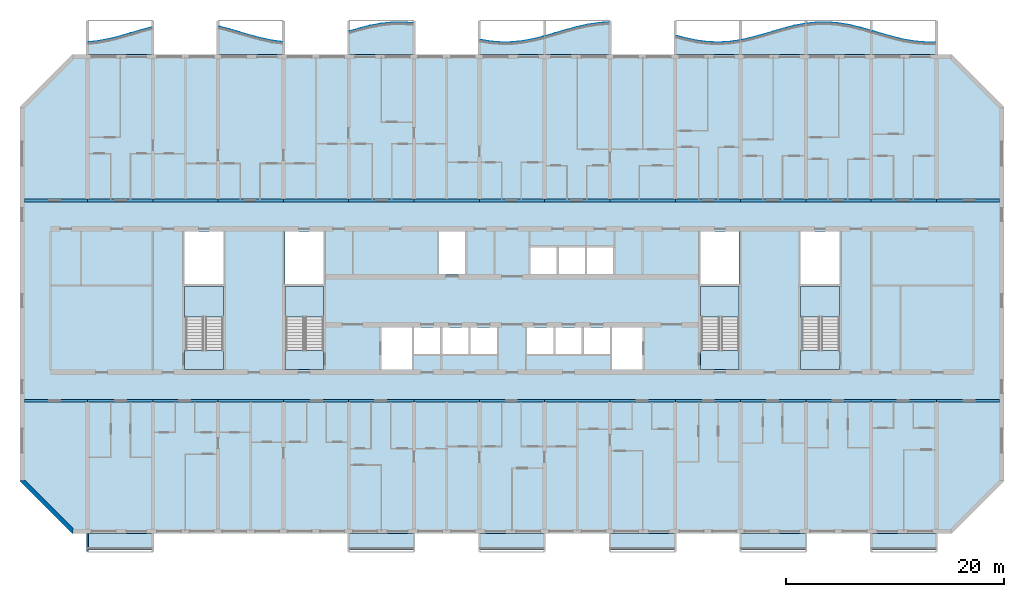
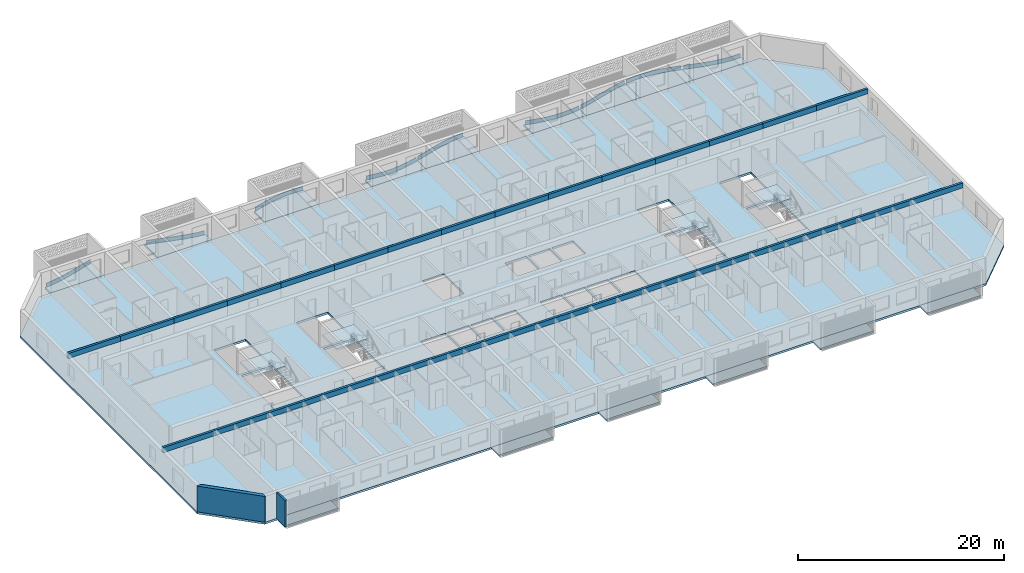
# One storey, part 1 of 27: 30 beams, 24 slabs, 9 plates, 2 walls, 4 elements without a shape of their own.
"""IFC4 building model written with IfcOpenShell, lengths in metres."""

from ifc_helpers import new_model, si_unit, direction, frame, origin, origin_2d, place, context, subcontext, project, spatial, polyline, rectangle, outline, extrude, source, transform, mapped, material, layer, layer_set, material_profile, profile_set, type_object, element, aggregate, save


model = new_model("IFC4")

# Units and contexts
model_context = context("Model", 3, precision=1e-05, world=origin(), true_north=direction((0.0, 1.0)))
body_context = subcontext(model_context, "Body", "Model", "MODEL_VIEW")
ifc_project = project(units=[si_unit("LENGTHUNIT", "METRE"), si_unit("AREAUNIT", "SQUARE_METRE"), si_unit("VOLUMEUNIT", "CUBIC_METRE"), si_unit("PLANEANGLEUNIT", "RADIAN"), si_unit("MASSUNIT", "GRAM", prefix="KILO")], contexts=[model_context])

# Site, building, storey
site_placement = place(None, origin())
site = spatial("IfcSite", under=ifc_project, at=site_placement, CompositionType="ELEMENT")
building_placement = place(site_placement, origin())
building = spatial("IfcBuilding", under=site, at=building_placement, Name="Poui Terraces", CompositionType="ELEMENT")
storey_placement = place(building_placement, frame((0.0, 0.0, 92.699951171875)))
storey = spatial("IfcBuildingStorey", under=building, at=storey_placement, Name="L25", CompositionType="ELEMENT", Elevation=92.699951171875)

# Beams
ifc_material_1 = material(Name="Concrete 65 MPa", Category="concrete")
ifc_material_profile = material_profile(ifc_material_1, rectangle(XDim=0.25, YDim=0.60009765625, at=origin_2d()), Name="RC 250x600")
ifc_profile_set = profile_set([ifc_material_profile], Name="Concrete 65 MPa")
beam_type = type_object("IfcBeamType", Name="COUPLING BEAM 250x600 65MPa", PredefinedType="BEAM", material=ifc_profile_set)
shared_shape_1 = source(origin(), body_context, "Body", "SweptSolid", [
    extrude(rectangle(XDim=0.25, YDim=0.60009765625, at=origin_2d()), origin(), (0.0, 0.0, 1.0), 5.800048828125),
])
for number, where, z_axis, x_axis, name in (
    (1, (6.199951171875, 12.0, 2.760009765625), (1.0, 0.0, 0.0), (0.0, 1.0, 0.0), "COUPLING BEAM LINE B BAY 1"),
    (2, (90.0, 12.0, 2.760009765625), (1.0, 0.0, 0.0), (0.0, 1.0, 0.0), "COUPLING BEAM LINE B BAY 15"),
    (3, (6.199951171875, 30.39990234375, 2.760009765625), (1.0, 0.0, 0.0), (0.0, 1.0, 0.0), "COUPLING BEAM LINE E BAY 1"),
    (4, (90.0, 30.39990234375, 2.760009765625), (1.0, 0.0, 0.0), (0.0, 1.0, 0.0), "COUPLING BEAM LINE E BAY 15"),
):
    element("IfcBeam", number, at=place(storey_placement, frame(where, z_axis=z_axis, x_axis=x_axis)), inside=storey, type_object=beam_type, Name=name, PredefinedType="BEAM", context=body_context, shape_type="MappedRepresentation", body=[
        mapped(shared_shape_1, transform((0.0, 0.0, 0.0))),
    ])
shared_shape_2 = source(origin(), body_context, "Body", "SweptSolid", [
    extrude(rectangle(XDim=0.25, YDim=0.60009765625, at=origin_2d()), origin(), (0.0, 0.0, 1.0), 6.0),
])
for number, where, z_axis, x_axis, name in (
    (5, (12.0, 12.0, 2.760009765625), (1.0, 0.0, 0.0), (0.0, 1.0, 0.0), "COUPLING BEAM LINE B BAY 2"),
    (6, (18.0, 12.0, 2.760009765625), (1.0, 0.0, 0.0), (0.0, 1.0, 0.0), "COUPLING BEAM LINE B BAY 3"),
    (7, (24.0, 12.0, 2.760009765625), (1.0, 0.0, 0.0), (0.0, 1.0, 0.0), "COUPLING BEAM LINE B BAY 4"),
    (8, (30.0, 12.0, 2.760009765625), (1.0, 0.0, 0.0), (0.0, 1.0, 0.0), "COUPLING BEAM LINE B BAY 5"),
    (9, (36.0, 12.0, 2.760009765625), (1.0, 0.0, 0.0), (0.0, 1.0, 0.0), "COUPLING BEAM LINE B BAY 6"),
    (10, (42.0, 12.0, 2.760009765625), (1.0, 0.0, 0.0), (0.0, 1.0, 0.0), "COUPLING BEAM LINE B BAY 7"),
    (11, (48.0, 12.0, 2.760009765625), (1.0, 0.0, 0.0), (0.0, 1.0, 0.0), "COUPLING BEAM LINE B BAY 8"),
    (12, (54.0, 12.0, 2.760009765625), (1.0, 0.0, 0.0), (0.0, 1.0, 0.0), "COUPLING BEAM LINE B BAY 9"),
    (13, (60.0, 12.0, 2.760009765625), (1.0, 0.0, 0.0), (0.0, 1.0, 0.0), "COUPLING BEAM LINE B BAY 10"),
    (14, (66.0, 12.0, 2.760009765625), (1.0, 0.0, 0.0), (0.0, 1.0, 0.0), "COUPLING BEAM LINE B BAY 11"),
    (15, (72.0, 12.0, 2.760009765625), (1.0, 0.0, 0.0), (0.0, 1.0, 0.0), "COUPLING BEAM LINE B BAY 12"),
    (16, (78.0, 12.0, 2.760009765625), (1.0, 0.0, 0.0), (0.0, 1.0, 0.0), "COUPLING BEAM LINE B BAY 13"),
    (17, (84.0, 12.0, 2.760009765625), (1.0, 0.0, 0.0), (0.0, 1.0, 0.0), "COUPLING BEAM LINE B BAY 14"),
    (18, (12.0, 30.39990234375, 2.760009765625), (1.0, 0.0, 0.0), (0.0, 1.0, 0.0), "COUPLING BEAM LINE E BAY 2"),
    (19, (18.0, 30.39990234375, 2.760009765625), (1.0, 0.0, 0.0), (0.0, 1.0, 0.0), "COUPLING BEAM LINE E BAY 3"),
    (20, (24.0, 30.39990234375, 2.760009765625), (1.0, 0.0, 0.0), (0.0, 1.0, 0.0), "COUPLING BEAM LINE E BAY 4"),
    (21, (30.0, 30.39990234375, 2.760009765625), (1.0, 0.0, 0.0), (0.0, 1.0, 0.0), "COUPLING BEAM LINE E BAY 5"),
    (22, (36.0, 30.39990234375, 2.760009765625), (1.0, 0.0, 0.0), (0.0, 1.0, 0.0), "COUPLING BEAM LINE E BAY 6"),
    (23, (42.0, 30.39990234375, 2.760009765625), (1.0, 0.0, 0.0), (0.0, 1.0, 0.0), "COUPLING BEAM LINE E BAY 7"),
    (24, (48.0, 30.39990234375, 2.760009765625), (1.0, 0.0, 0.0), (0.0, 1.0, 0.0), "COUPLING BEAM LINE E BAY 8"),
    (25, (54.0, 30.39990234375, 2.760009765625), (1.0, 0.0, 0.0), (0.0, 1.0, 0.0), "COUPLING BEAM LINE E BAY 9"),
    (26, (60.0, 30.39990234375, 2.760009765625), (1.0, 0.0, 0.0), (0.0, 1.0, 0.0), "COUPLING BEAM LINE E BAY 10"),
    (27, (66.0, 30.39990234375, 2.760009765625), (1.0, 0.0, 0.0), (0.0, 1.0, 0.0), "COUPLING BEAM LINE E BAY 11"),
    (28, (72.0, 30.39990234375, 2.760009765625), (1.0, 0.0, 0.0), (0.0, 1.0, 0.0), "COUPLING BEAM LINE E BAY 12"),
    (29, (78.0, 30.39990234375, 2.760009765625), (1.0, 0.0, 0.0), (0.0, 1.0, 0.0), "COUPLING BEAM LINE E BAY 13"),
    (30, (84.0, 30.39990234375, 2.760009765625), (1.0, 0.0, 0.0), (0.0, 1.0, 0.0), "COUPLING BEAM LINE E BAY 14"),
):
    element("IfcBeam", number, at=place(storey_placement, frame(where, z_axis=z_axis, x_axis=x_axis)), inside=storey, type_object=beam_type, Name=name, PredefinedType="BEAM", context=body_context, shape_type="MappedRepresentation", body=[
        mapped(shared_shape_2, transform((0.0, 0.0, 0.0))),
    ])

# Slabs
ifc_material_2 = material(Name="Precast concrete 40 MPa", Category="concrete")
ifc_layer_1 = layer(ifc_material_2, 0.199951171875)
ifc_layer_set_1 = layer_set([ifc_layer_1], Name="Precast concrete 40 MPa")
slab_type_1 = type_object("IfcSlabType", Name="BALCONY SLAB 200", PredefinedType="FLOOR", material=ifc_layer_set_1)
slab_1_placement = place(storey_placement, frame((0.0, 0.0, -0.199951171875)))
element("IfcSlab", 31, at=slab_1_placement, inside=storey, type_object=slab_type_1, Name="BALCONY SLAB", PredefinedType="FLOOR", context=body_context, shape_type="SweptSolid", body=[
    extrude(outline(polyline([(12.0, 43.800048828125), (18.0, 43.800048828125), (18.0, 46.3193359375), (17.0, 46.04638671875), (16.0, 45.75048828125), (15.0, 45.46240234375), (14.0, 45.211669921875), (13.0, 45.02392578125), (12.0, 44.918701171875), (12.0, 43.800048828125)])), origin(), (0.0, 0.0, 1.0), 0.199951171875),
])
slab_2_placement = place(storey_placement, frame((0.0, 0.0, -0.199951171875)))
element("IfcSlab", 32, at=slab_2_placement, inside=storey, type_object=slab_type_1, Name="BALCONY SLAB", PredefinedType="FLOOR", context=body_context, shape_type="SweptSolid", body=[
    extrude(outline(polyline([(24.0, 43.800048828125), (30.0, 43.800048828125), (30.0, 44.9365234375), (29.0, 45.063720703125), (28.0, 45.269287109375), (27.0, 45.531982421875), (26.0, 45.824951171875), (25.0, 46.117919921875), (24.0, 46.380615234375), (24.0, 43.800048828125)])), origin(), (0.0, 0.0, 1.0), 0.199951171875),
])
slab_3_placement = place(storey_placement, frame((0.0, 0.0, -0.199951171875)))
element("IfcSlab", 33, at=slab_3_placement, inside=storey, type_object=slab_type_1, Name="BALCONY SLAB", PredefinedType="FLOOR", context=body_context, shape_type="SweptSolid", body=[
    extrude(outline(polyline([(36.0, 43.800048828125), (42.0, 43.800048828125), (42.0, 46.66064453125), (41.0, 46.743408203125), (40.0, 46.731201171875), (39.0, 46.626220703125), (38.0, 46.4384765625), (37.0, 46.1875), (36.0, 45.8994140625), (36.0, 43.800048828125)])), origin(), (0.0, 0.0, 1.0), 0.199951171875),
])
slab_4_placement = place(storey_placement, frame((0.0, 0.0, -0.199951171875)))
element("IfcSlab", 34, at=slab_4_placement, inside=storey, type_object=slab_type_1, Name="BALCONY SLAB", PredefinedType="FLOOR", context=body_context, shape_type="SweptSolid", body=[
    extrude(outline(polyline([(48.0, 43.800048828125), (54.0, 43.800048828125), (54.0, 45.46240234375), (53.0, 45.211669921875), (52.0, 45.02392578125), (51.0, 44.918701171875), (50.0, 44.90673828125), (49.0, 44.9892578125), (48.0, 45.157958984375), (48.0, 43.800048828125)])), origin(), (0.0, 0.0, 1.0), 0.199951171875),
])
slab_5_placement = place(storey_placement, frame((0.0, 0.0, -0.199951171875)))
element("IfcSlab", 35, at=slab_5_placement, inside=storey, type_object=slab_type_1, Name="BALCONY SLAB", PredefinedType="FLOOR", context=body_context, shape_type="SweptSolid", body=[
    extrude(outline(polyline([(54.0, 43.800048828125), (60.0, 43.800048828125), (60.0, 46.749267578125), (59.0, 46.68994140625), (58.0, 46.54150390625), (57.0, 46.3193359375), (56.0, 46.04638671875), (55.0, 45.75048828125), (54.0, 45.46240234375), (54.0, 43.800048828125)])), origin(), (0.0, 0.0, 1.0), 0.199951171875),
])
slab_6_placement = place(storey_placement, frame((0.0, 0.0, -0.199951171875)))
element("IfcSlab", 36, at=slab_6_placement, inside=storey, type_object=slab_type_1, Name="BALCONY SLAB", PredefinedType="FLOOR", context=body_context, shape_type="SweptSolid", body=[
    extrude(outline(polyline([(66.0, 43.800048828125), (72.0, 43.800048828125), (72.0, 45.1083984375), (71.0, 44.960205078125), (70.0, 44.90087890625), (69.0, 44.9365234375), (68.0, 45.063720703125), (67.0, 45.269287109375), (66.0, 45.531982421875), (66.0, 43.800048828125)])), origin(), (0.0, 0.0, 1.0), 0.199951171875),
])
slab_7_placement = place(storey_placement, frame((0.0, 0.0, -0.199951171875)))
element("IfcSlab", 37, at=slab_7_placement, inside=storey, type_object=slab_type_1, Name="BALCONY SLAB", PredefinedType="FLOOR", context=body_context, shape_type="SweptSolid", body=[
    extrude(outline(polyline([(72.0, 43.800048828125), (78.0, 43.800048828125), (78.0, 46.626220703125), (77.0, 46.4384765625), (76.0, 46.1875), (75.0, 45.8994140625), (74.0, 45.603515625), (73.0, 45.33056640625), (72.0, 45.1083984375), (72.0, 43.800048828125)])), origin(), (0.0, 0.0, 1.0), 0.199951171875),
])
slab_8_placement = place(storey_placement, frame((0.0, 0.0, -0.199951171875)))
element("IfcSlab", 38, at=slab_8_placement, inside=storey, type_object=slab_type_1, Name="BALCONY SLAB", PredefinedType="FLOOR", context=body_context, shape_type="SweptSolid", body=[
    extrude(outline(polyline([(78.0, 43.800048828125), (84.0, 43.800048828125), (84.0, 45.973388671875), (83.0, 46.2548828125), (82.0, 46.4921875), (81.0, 46.66064453125), (80.0, 46.743408203125), (79.0, 46.731201171875), (78.0, 46.626220703125), (78.0, 43.800048828125)])), origin(), (0.0, 0.0, 1.0), 0.199951171875),
])
slab_9_placement = place(storey_placement, frame((0.0, 0.0, -0.199951171875)))
element("IfcSlab", 39, at=slab_9_placement, inside=storey, type_object=slab_type_1, Name="BALCONY SLAB", PredefinedType="FLOOR", context=body_context, shape_type="SweptSolid", body=[
    extrude(outline(polyline([(84.0, 43.800048828125), (90.0, 43.800048828125), (90.0, 44.918701171875), (89.0, 44.90673828125), (88.0, 44.9892578125), (87.0, 45.157958984375), (86.0, 45.39501953125), (85.0, 45.676513671875), (84.0, 45.973388671875), (84.0, 43.800048828125)])), origin(), (0.0, 0.0, 1.0), 0.199951171875),
])

# Stair, slabs
stair_type = type_object("IfcStairType", Name="EXIT STAIR 1650 65 MPA", PredefinedType="HALF_TURN_STAIR", material=ifc_material_1)
stair_1_placement = place(storey_placement, origin())
stair_1 = element("IfcStair", 40, at=stair_1_placement, inside=storey, type_object=stair_type, Name="L25 CORE STAIR EAST", PredefinedType="HALF_TURN_STAIR")
ifc_layer_2 = layer(ifc_material_1, 0.199951171875)
ifc_layer_set_2 = layer_set([ifc_layer_2], Name="Concrete 65 MPa")
slab_type_2 = type_object("IfcSlabType", Name="STAIR LANDING 200 65 MPA", PredefinedType="LANDING", material=ifc_layer_set_2)
slab_10_placement = place(storey_placement, frame((0.0, 0.0, 1.449951171875)))
slab_10 = element("IfcSlab", 41, at=slab_10_placement, type_object=slab_type_2, Name="ST-CE landing 1", PredefinedType="LANDING", context=body_context, shape_type="SweptSolid", body=[
    extrude(outline(polyline([(68.324951171875, 19.679931640625), (71.875, 19.679931640625), (71.875, 22.47509765625), (68.324951171875, 22.47509765625), (68.324951171875, 19.679931640625)])), origin(), (0.0, 0.0, 1.0), 0.2001953125),
])
slab_11_placement = place(storey_placement, frame((0.0, 0.0, -0.199951171875)))
slab_11 = element("IfcSlab", 42, at=slab_11_placement, type_object=slab_type_2, Name="ST-CE landing 2", PredefinedType="LANDING", context=body_context, shape_type="SweptSolid", body=[
    extrude(outline(polyline([(68.324951171875, 14.85009765625), (71.875, 14.85009765625), (71.875, 16.60009765625), (68.324951171875, 16.60009765625), (68.324951171875, 14.85009765625)])), origin(), (0.0, 0.0, 1.0), 0.199951171875),
])
aggregate(stair_1, [slab_10, slab_11])

stair_2_placement = place(storey_placement, origin())
stair_2 = element("IfcStair", 43, at=stair_2_placement, inside=storey, type_object=stair_type, Name="L25 CORE STAIR WEST", PredefinedType="HALF_TURN_STAIR")
slab_12_placement = place(storey_placement, frame((0.0, 0.0, 1.449951171875)))
slab_12 = element("IfcSlab", 44, at=slab_12_placement, type_object=slab_type_2, Name="ST-CW landing 1", PredefinedType="LANDING", context=body_context, shape_type="SweptSolid", body=[
    extrude(outline(polyline([(30.125, 19.679931640625), (33.675048828125, 19.679931640625), (33.675048828125, 22.47509765625), (30.125, 22.47509765625), (30.125, 19.679931640625)])), origin(), (0.0, 0.0, 1.0), 0.2001953125),
])
slab_13_placement = place(storey_placement, frame((0.0, 0.0, -0.199951171875)))
slab_13 = element("IfcSlab", 45, at=slab_13_placement, type_object=slab_type_2, Name="ST-CW landing 2", PredefinedType="LANDING", context=body_context, shape_type="SweptSolid", body=[
    extrude(outline(polyline([(30.125, 14.85009765625), (33.675048828125, 14.85009765625), (33.675048828125, 16.60009765625), (30.125, 16.60009765625), (30.125, 14.85009765625)])), origin(), (0.0, 0.0, 1.0), 0.199951171875),
])
aggregate(stair_2, [slab_12, slab_13])

stair_3_placement = place(storey_placement, origin())
stair_3 = element("IfcStair", 46, at=stair_3_placement, inside=storey, type_object=stair_type, Name="L25 TIP STAIR EAST", PredefinedType="HALF_TURN_STAIR")
slab_14_placement = place(storey_placement, frame((0.0, 0.0, 1.449951171875)))
slab_14 = element("IfcSlab", 47, at=slab_14_placement, type_object=slab_type_2, Name="ST-E landing 1", PredefinedType="LANDING", context=body_context, shape_type="SweptSolid", body=[
    extrude(outline(polyline([(77.52490234375, 19.679931640625), (81.074951171875, 19.679931640625), (81.074951171875, 22.47509765625), (77.52490234375, 22.47509765625), (77.52490234375, 19.679931640625)])), origin(), (0.0, 0.0, 1.0), 0.2001953125),
])
slab_15_placement = place(storey_placement, frame((0.0, 0.0, -0.199951171875)))
slab_15 = element("IfcSlab", 48, at=slab_15_placement, type_object=slab_type_2, Name="ST-E landing 2", PredefinedType="LANDING", context=body_context, shape_type="SweptSolid", body=[
    extrude(outline(polyline([(77.52490234375, 14.85009765625), (81.074951171875, 14.85009765625), (81.074951171875, 16.60009765625), (77.52490234375, 16.60009765625), (77.52490234375, 14.85009765625)])), origin(), (0.0, 0.0, 1.0), 0.199951171875),
])
aggregate(stair_3, [slab_14, slab_15])

stair_4_placement = place(storey_placement, origin())
stair_4 = element("IfcStair", 49, at=stair_4_placement, inside=storey, type_object=stair_type, Name="L25 TIP STAIR WEST", PredefinedType="HALF_TURN_STAIR")
slab_16_placement = place(storey_placement, frame((0.0, 0.0, 1.449951171875)))
slab_16 = element("IfcSlab", 50, at=slab_16_placement, type_object=slab_type_2, Name="ST-W landing 1", PredefinedType="LANDING", context=body_context, shape_type="SweptSolid", body=[
    extrude(outline(polyline([(20.925048828125, 19.679931640625), (24.47509765625, 19.679931640625), (24.47509765625, 22.47509765625), (20.925048828125, 22.47509765625), (20.925048828125, 19.679931640625)])), origin(), (0.0, 0.0, 1.0), 0.2001953125),
])
slab_17_placement = place(storey_placement, frame((0.0, 0.0, -0.199951171875)))
slab_17 = element("IfcSlab", 51, at=slab_17_placement, type_object=slab_type_2, Name="ST-W landing 2", PredefinedType="LANDING", context=body_context, shape_type="SweptSolid", body=[
    extrude(outline(polyline([(20.925048828125, 14.85009765625), (24.47509765625, 14.85009765625), (24.47509765625, 16.60009765625), (20.925048828125, 16.60009765625), (20.925048828125, 14.85009765625)])), origin(), (0.0, 0.0, 1.0), 0.199951171875),
])
aggregate(stair_4, [slab_16, slab_17])

# Plates
ifc_layer_3 = layer(ifc_material_2, 0.080078125)
ifc_layer_set_3 = layer_set([ifc_layer_3], Name="Precast concrete 40 MPa")
plate_type = type_object("IfcPlateType", Name="SUNSHADE UPSTAND 80", PredefinedType="SHEET", material=ifc_layer_set_3)
plate_1_placement = place(storey_placement, origin())
element("IfcPlate", 52, at=plate_1_placement, inside=storey, type_object=plate_type, Name="SUNSHADE UPSTAND", PredefinedType="SHEET", context=body_context, shape_type="SweptSolid", body=[
    extrude(outline(polyline([(12.994140625, 45.0185546875), (12.12060546875, 44.921630859375), (12.12939453125, 44.842041015625), (13.005859375, 44.939208984375), (14.008544921875, 45.12744140625), (15.010498046875, 45.37890625), (16.01123046875, 45.667236328125), (17.010986328125, 45.962890625), (17.885498046875, 46.203857421875), (17.864501953125, 46.281005859375), (16.989013671875, 46.039794921875), (15.98876953125, 45.743896484375), (14.989501953125, 45.4560546875), (13.991455078125, 45.205810546875), (12.994140625, 45.0185546875)])), origin(), (0.0, 0.0, 1.0), 0.449951171875),
])
plate_2_placement = place(storey_placement, origin())
element("IfcPlate", 53, at=plate_2_placement, inside=storey, type_object=plate_type, Name="SUNSHADE UPSTAND", PredefinedType="SHEET", context=body_context, shape_type="SweptSolid", body=[
    extrude(outline(polyline([(25.0107421875, 46.111328125), (24.13525390625, 46.343994140625), (24.11474609375, 46.266845703125), (24.9892578125, 46.034423828125), (25.98876953125, 45.74169921875), (26.9892578125, 45.448486328125), (27.990966796875, 45.185302734375), (28.993408203125, 44.979248046875), (29.86962890625, 44.863037109375), (29.88037109375, 44.9423828125), (29.006591796875, 45.05810546875), (28.009033203125, 45.26318359375), (27.0107421875, 45.525634765625), (26.01123046875, 45.818359375), (25.0107421875, 46.111328125)])), origin(), (0.0, 0.0, 1.0), 0.449951171875),
])
plate_3_placement = place(storey_placement, origin())
element("IfcPlate", 54, at=plate_3_placement, inside=storey, type_object=plate_type, Name="SUNSHADE UPSTAND", PredefinedType="SHEET", context=body_context, shape_type="SweptSolid", body=[
    extrude(outline(polyline([(36.989501953125, 46.18115234375), (36.114013671875, 45.929931640625), (36.135986328125, 45.85302734375), (37.010498046875, 46.10400390625), (38.008544921875, 46.354248046875), (39.005859375, 46.54150390625), (40.002197265625, 46.646240234375), (40.998779296875, 46.658203125), (41.871826171875, 46.591064453125), (41.878173828125, 46.6708984375), (41.859619140625, 46.67236328125), (41.001220703125, 46.73828125), (39.997802734375, 46.726318359375), (38.994140625, 46.62060546875), (37.991455078125, 46.4326171875), (36.989501953125, 46.18115234375)])), origin(), (0.0, 0.0, 1.0), 0.449951171875),
])
plate_4_placement = place(storey_placement, origin())
element("IfcPlate", 55, at=plate_4_placement, inside=storey, type_object=plate_type, Name="SUNSHADE UPSTAND", PredefinedType="SHEET", context=body_context, shape_type="SweptSolid", body=[
    extrude(outline(polyline([(49.0048828125, 44.98388671875), (48.131591796875, 45.127197265625), (48.118408203125, 45.048095703125), (48.9951171875, 44.904541015625), (49.99853515625, 44.82177734375), (51.002197265625, 44.833740234375), (52.005859375, 44.939208984375), (53.008544921875, 45.12744140625), (53.884521484375, 45.344482421875), (53.865478515625, 45.42236328125), (52.991455078125, 45.205810546875), (51.994140625, 45.0185546875), (50.997802734375, 44.913818359375), (50.00146484375, 44.90185546875), (49.0048828125, 44.98388671875)])), origin(), (0.0, 0.0, 1.0), 0.449951171875),
])
plate_5_placement = place(storey_placement, origin())
element("IfcPlate", 56, at=plate_5_placement, inside=storey, type_object=plate_type, Name="SUNSHADE UPSTAND", PredefinedType="SHEET", context=body_context, shape_type="SweptSolid", body=[
    extrude(outline(polyline([(54.98876953125, 45.743896484375), (54.114013671875, 45.490478515625), (54.135986328125, 45.41357421875), (55.01123046875, 45.667236328125), (56.010986328125, 45.962890625), (57.009521484375, 46.235595703125), (58.00732421875, 46.457275390625), (59.004150390625, 46.60498046875), (59.877685546875, 46.662109375), (59.872314453125, 46.74169921875), (59.831787109375, 46.7392578125), (58.995849609375, 46.684814453125), (57.99267578125, 46.535888671875), (56.990478515625, 46.313232421875), (55.989013671875, 46.039794921875), (54.98876953125, 45.743896484375)])), origin(), (0.0, 0.0, 1.0), 0.449951171875),
])
plate_6_placement = place(storey_placement, origin())
element("IfcPlate", 57, at=plate_6_placement, inside=storey, type_object=plate_type, Name="SUNSHADE UPSTAND", PredefinedType="SHEET", context=body_context, shape_type="SweptSolid", body=[
    extrude(outline(polyline([(67.009033203125, 45.26318359375), (66.135009765625, 45.49072265625), (66.114990234375, 45.413330078125), (66.990966796875, 45.185302734375), (67.993408203125, 44.979248046875), (68.996826171875, 44.8515625), (70.00048828125, 44.815673828125), (71.00390625, 44.875244140625), (71.880615234375, 45.0009765625), (71.869384765625, 45.080078125), (70.99609375, 44.954833984375), (69.99951171875, 44.895751953125), (69.003173828125, 44.931396484375), (68.006591796875, 45.05810546875), (67.009033203125, 45.26318359375)])), origin(), (0.0, 0.0, 1.0), 0.449951171875),
])
plate_7_placement = place(storey_placement, origin())
element("IfcPlate", 58, at=plate_7_placement, inside=storey, type_object=plate_type, Name="SUNSHADE UPSTAND", PredefinedType="SHEET", context=body_context, shape_type="SweptSolid", body=[
    extrude(outline(polyline([(72.990234375, 45.324462890625), (72.1162109375, 45.126708984375), (72.1337890625, 45.048583984375), (73.009765625, 45.246826171875), (74.010986328125, 45.520263671875), (75.01123046875, 45.81591796875), (76.010498046875, 46.10400390625), (77.0087890625, 46.354248046875), (77.882568359375, 46.5224609375), (77.867431640625, 46.60107421875), (76.9912109375, 46.4326171875), (75.989501953125, 46.18115234375), (74.98876953125, 45.892822265625), (73.989013671875, 45.59716796875), (72.990234375, 45.324462890625)])), origin(), (0.0, 0.0, 1.0), 0.449951171875),
])
plate_8_placement = place(storey_placement, origin())
element("IfcPlate", 59, at=plate_8_placement, inside=storey, type_object=plate_type, Name="SUNSHADE UPSTAND", PredefinedType="SHEET", context=body_context, shape_type="SweptSolid", body=[
    extrude(outline(polyline([(78.997802734375, 46.726318359375), (78.128173828125, 46.6396484375), (78.12109375, 46.638916015625), (78.12890625, 46.55908203125), (79.002197265625, 46.646240234375), (79.99853515625, 46.658203125), (80.9951171875, 46.575927734375), (81.991943359375, 46.407958984375), (82.989990234375, 46.171142578125), (83.8642578125, 45.926513671875), (83.8857421875, 46.00341796875), (83.010009765625, 46.24853515625), (82.008056640625, 46.486328125), (81.0048828125, 46.655517578125), (80.00146484375, 46.73828125), (78.997802734375, 46.726318359375)])), origin(), (0.0, 0.0, 1.0), 0.449951171875),
])
plate_9_placement = place(storey_placement, origin())
element("IfcPlate", 60, at=plate_9_placement, inside=storey, type_object=plate_type, Name="SUNSHADE UPSTAND", PredefinedType="SHEET", context=body_context, shape_type="SweptSolid", body=[
    extrude(outline(polyline([(85.010986328125, 45.669921875), (84.136474609375, 45.9296875), (84.113525390625, 45.853271484375), (84.989013671875, 45.59326171875), (85.989990234375, 45.311279296875), (86.991943359375, 45.07373046875), (87.9951171875, 44.904541015625), (88.99853515625, 44.82177734375), (89.875244140625, 44.826904296875), (89.874755859375, 44.906982421875), (89.00146484375, 44.90185546875), (88.0048828125, 44.98388671875), (87.008056640625, 45.152099609375), (86.010009765625, 45.388916015625), (85.010986328125, 45.669921875)])), origin(), (0.0, 0.0, 1.0), 0.449951171875),
])

# Slabs
ifc_material_3 = material(Name="Concrete 40 MPa", Category="concrete")
ifc_layer_4 = layer(ifc_material_3, 0.239990234375)
ifc_layer_set_4 = layer_set([ifc_layer_4], Name="Concrete 40 MPa")
slab_type_3 = type_object("IfcSlabType", Name="FLOOR SLAB 240", PredefinedType="FLOOR", material=ifc_layer_set_4)
shared_shape_3 = source(origin(), body_context, "Body", "SweptSolid", [
    extrude(outline(polyline([(0.0, 0.0), (4.800048828125, -4.800048828125), (85.599853515625, -4.800048828125), (90.39990234375, 0.0), (90.39990234375, 34.39990234375), (85.599853515625, 39.199951171875), (4.800048828125, 39.199951171875), (0.0, 34.39990234375), (0.0, 0.0)]), holes=[polyline([(33.199951171875, 10.25), (33.199951171875, 14.14990234375), (36.0, 14.14990234375), (36.0, 10.25), (33.199951171875, 10.25)]), polyline([(36.199951171875, 11.699951171875), (36.199951171875, 14.14990234375), (38.599853515625, 14.14990234375), (38.599853515625, 11.699951171875), (36.199951171875, 11.699951171875)]), polyline([(38.800048828125, 11.699951171875), (38.800048828125, 14.14990234375), (41.199951171875, 14.14990234375), (41.199951171875, 11.699951171875), (38.800048828125, 11.699951171875)]), polyline([(41.39990234375, 14.14990234375), (43.800048828125, 14.14990234375), (43.800048828125, 11.699951171875), (41.39990234375, 11.699951171875), (41.39990234375, 14.14990234375)]), polyline([(46.599853515625, 14.14990234375), (49.0, 14.14990234375), (49.0, 11.699951171875), (46.599853515625, 11.699951171875), (46.599853515625, 14.14990234375)]), polyline([(15.224853515625, 17.849853515625), (18.675048828125, 17.849853515625), (18.675048828125, 12.0), (18.675048828125, 10.25), (15.125, 10.25), (15.125, 12.0), (15.224853515625, 12.0), (15.224853515625, 17.849853515625)]), polyline([(24.425048828125, 17.849853515625), (27.875, 17.849853515625), (27.875, 12.0), (27.875, 10.25), (24.324951171875, 10.25), (24.324951171875, 12.0), (24.425048828125, 12.0), (24.425048828125, 17.849853515625)]), polyline([(15.125, 18.125), (15.125, 22.949951171875), (18.675048828125, 22.949951171875), (18.675048828125, 18.125), (15.125, 18.125)]), polyline([(24.324951171875, 22.949951171875), (27.875, 22.949951171875), (27.875, 18.125), (24.324951171875, 18.125), (24.324951171875, 22.949951171875)]), polyline([(38.5, 22.949951171875), (40.89990234375, 22.949951171875), (40.89990234375, 19.0498046875), (38.5, 19.0498046875), (38.5, 22.949951171875)]), polyline([(54.39990234375, 10.25), (54.39990234375, 14.14990234375), (57.199951171875, 14.14990234375), (57.199951171875, 10.25), (54.39990234375, 10.25)]), polyline([(49.199951171875, 11.699951171875), (49.199951171875, 14.14990234375), (51.599853515625, 14.14990234375), (51.599853515625, 11.699951171875), (49.199951171875, 11.699951171875)]), polyline([(51.800048828125, 11.699951171875), (51.800048828125, 14.14990234375), (54.199951171875, 14.14990234375), (54.199951171875, 11.699951171875), (51.800048828125, 11.699951171875)]), polyline([(66.074951171875, 17.849853515625), (66.074951171875, 12.0), (66.074951171875, 10.25), (62.52490234375, 10.25), (62.52490234375, 12.0), (62.625, 12.0), (62.625, 17.849853515625), (66.074951171875, 17.849853515625)]), polyline([(75.27490234375, 17.849853515625), (75.27490234375, 12.0), (75.27490234375, 10.25), (71.724853515625, 10.25), (71.724853515625, 12.0), (71.824951171875, 12.0), (71.824951171875, 17.849853515625), (75.27490234375, 17.849853515625)]), polyline([(46.89990234375, 19.0498046875), (46.89990234375, 21.5), (49.300048828125, 21.5), (49.300048828125, 19.0498046875), (46.89990234375, 19.0498046875)]), polyline([(49.5, 19.0498046875), (49.5, 21.5), (51.89990234375, 21.5), (51.89990234375, 19.0498046875), (49.5, 19.0498046875)]), polyline([(52.099853515625, 19.0498046875), (52.099853515625, 21.5), (54.5, 21.5), (54.5, 19.0498046875), (52.099853515625, 19.0498046875)]), polyline([(62.52490234375, 22.949951171875), (66.074951171875, 22.949951171875), (66.074951171875, 18.125), (62.52490234375, 18.125), (62.52490234375, 22.949951171875)]), polyline([(71.724853515625, 22.949951171875), (75.27490234375, 22.949951171875), (75.27490234375, 18.125), (71.724853515625, 18.125), (71.724853515625, 22.949951171875)])]), origin(), (0.0, 0.0, 1.0), 0.239990234375),
])
slab_18_placement = place(storey_placement, frame((5.800048828125, 4.60009765625, -0.239990234375)))
element("IfcSlab", 61, at=slab_18_placement, inside=storey, type_object=slab_type_3, Name="FLOOR SLAB", PredefinedType="FLOOR", context=body_context, shape_type="MappedRepresentation", body=[
    mapped(shared_shape_3, transform((0.0, 0.0, 0.0))),
])
ifc_layer_5 = layer(ifc_material_2, 0.199951171875)
ifc_layer_set_5 = layer_set([ifc_layer_5], Name="Precast concrete 40 MPa")
slab_type_4 = type_object("IfcSlabType", Name="REAR BALCONY SLAB 200", PredefinedType="FLOOR", material=ifc_layer_set_5)
shared_shape_4 = source(origin(), body_context, "Body", "SweptSolid", [
    extrude(outline(polyline([(0.0, 0.0), (6.0, 0.0), (6.0, 1.5), (0.0, 1.5), (0.0, 0.0)])), origin(), (0.0, 0.0, 1.0), 0.199951171875),
])
for number, where, name in (
    (62, (12.0, -1.699951171875, -0.199951171875), "REAR BALCONY SLAB"),
    (63, (36.0, -1.699951171875, -0.199951171875), "REAR BALCONY SLAB"),
    (64, (48.0, -1.699951171875, -0.199951171875), "REAR BALCONY SLAB"),
    (65, (60.0, -1.699951171875, -0.199951171875), "REAR BALCONY SLAB"),
    (66, (72.0, -1.699951171875, -0.199951171875), "REAR BALCONY SLAB"),
    (67, (84.0, -1.699951171875, -0.199951171875), "REAR BALCONY SLAB"),
):
    element("IfcSlab", number, at=place(storey_placement, frame(where)), inside=storey, type_object=slab_type_4, Name=name, PredefinedType="FLOOR", context=body_context, shape_type="MappedRepresentation", body=[
        mapped(shared_shape_4, transform((0.0, 0.0, 0.0))),
    ])

# Walls
ifc_layer_6 = layer(ifc_material_2, 0.39990234375)
ifc_layer_set_6 = layer_set([ifc_layer_6], Name="Precast concrete 40 MPa")
wall_type_1 = type_object("IfcWallType", Name="TERRACOTTA CLAD CHAMFER WALL 400", PredefinedType="STANDARD", material=ifc_layer_set_6)
wall_1_placement = place(storey_placement, origin())
element("IfcWall", 68, at=wall_1_placement, inside=storey, type_object=wall_type_1, Name="CHAMFER WALL CH07", PredefinedType="STANDARD", context=body_context, shape_type="SweptSolid", body=[
    extrude(outline(polyline([(5.800048828125, 4.682861328125), (5.800048828125, 4.60009765625), (10.60009765625, -0.199951171875), (10.682861328125, -0.199951171875), (10.682861328125, 0.28271484375), (6.28271484375, 4.682861328125), (5.800048828125, 4.682861328125)])), origin(), (0.0, 0.0, 1.0), 3.06005859375),
])
ifc_layer_7 = layer(ifc_material_2, 0.199951171875)
ifc_layer_set_7 = layer_set([ifc_layer_7], Name="Precast concrete 40 MPa")
wall_type_2 = type_object("IfcWallType", Name="REAR FIN 200", PredefinedType="STANDARD", material=ifc_layer_set_7)
shared_shape_5 = source(origin(), body_context, "Body", "SweptSolid", [
    extrude(outline(polyline([(0.0, 0.0), (0.2001953125, 0.0), (0.2001953125, 1.650146484375), (0.0, 1.650146484375), (0.0, 0.0)])), origin(), (0.0, 0.0, 1.0), 3.10009765625),
])
wall_2_placement = place(storey_placement, frame((11.89990234375, -1.85009765625, 0.0)))
element("IfcWall", 69, at=wall_2_placement, inside=storey, type_object=wall_type_2, Name="REAR FIN", PredefinedType="STANDARD", context=body_context, shape_type="MappedRepresentation", body=[
    mapped(shared_shape_5, transform((0.0, 0.0, 0.0))),
])

save(model, "model.ifc")
